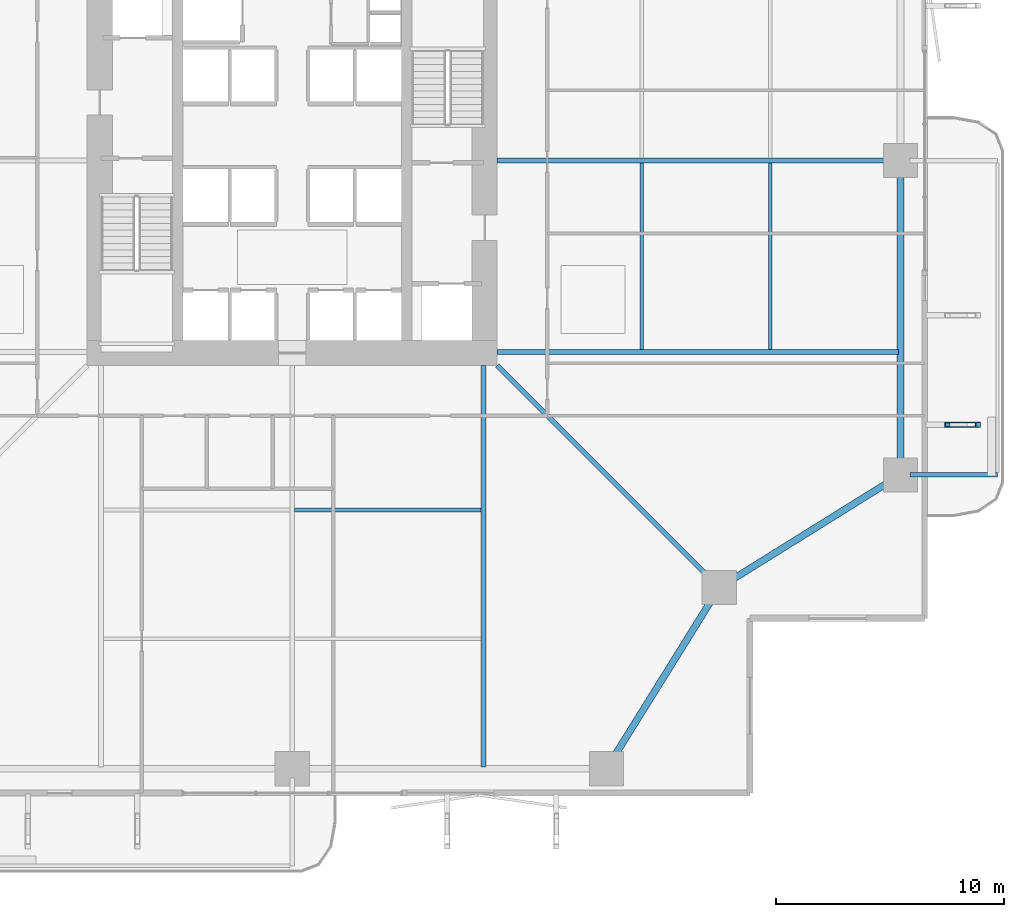
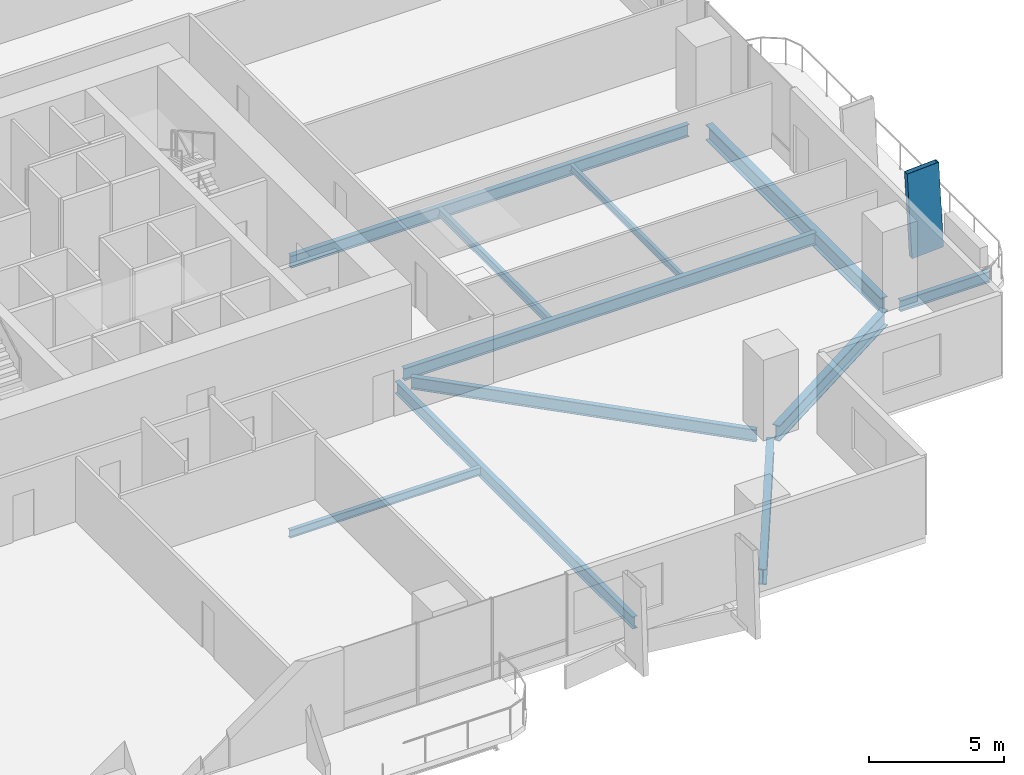
# One storey, part 7 of 23: 11 beams, 1 member.
"""IFC4 building model written with IfcOpenShell, lengths in metres."""

from ifc_helpers import new_model, si_unit, direction, frame, origin, origin_2d, place, context, subcontext, project, spatial, hollow_rectangle, i_section, extrude, material, material_profile, profile_set, type_object, element, save


model = new_model("IFC4")

# Units and contexts
model_context = context("Model", 3, precision=1e-05, world=origin(), true_north=direction((0.0, 1.0)))
body_context = subcontext(model_context, "Body", "Model", "MODEL_VIEW")
ifc_project = project(units=[si_unit("LENGTHUNIT", "METRE"), si_unit("AREAUNIT", "SQUARE_METRE"), si_unit("VOLUMEUNIT", "CUBIC_METRE"), si_unit("PLANEANGLEUNIT", "RADIAN"), si_unit("MASSUNIT", "GRAM", prefix="KILO")], contexts=[model_context])

# Site, building, storey
site_placement = place(None, origin())
site = spatial("IfcSite", under=ifc_project, at=site_placement, CompositionType="ELEMENT")
building_placement = place(site_placement, origin())
building = spatial("IfcBuilding", under=site, at=building_placement, Name="Belovzor Exchange Tower", CompositionType="ELEMENT")
storey_placement = place(building_placement, frame((0.0, 0.0, 65.10009765625)))
storey = spatial("IfcBuildingStorey", under=building, at=storey_placement, Name="L15", CompositionType="ELEMENT", Elevation=65.10009765625)

# Member
ifc_material_1 = material(Name="Extruded Architectural Terracotta on Steel S355 Carrier", Category="masonry")
ifc_material_profile_1 = material_profile(ifc_material_1, hollow_rectangle(XDim=0.219970703125, YDim=1.35009765625, WallThickness=0.013916015625, at=origin_2d()))
ifc_profile_set_1 = profile_set([ifc_material_profile_1], Name="Extruded Architectural Terracotta on Steel S355 Carrier")
member_type = type_object("IfcMemberType", Name="Base Arc Sweeping Terracotta Pylon Fin 1450", PredefinedType="USERDEFINED", material=ifc_profile_set_1)
member_placement = place(storey_placement, frame((58.339111328125, 17.199951171875, -0.25), z_axis=(-0.053011620344, 0.0, 0.998593895489), x_axis=(0.0, -1.0, 0.0)))
element("IfcMember", 1, at=member_placement, inside=storey, type_object=member_type, Name="FIN-TC145 Terracotta Facade Fin L15 E1", ObjectType="FIN", PredefinedType="USERDEFINED", context=body_context, shape_type="SweptSolid", body=[
    extrude(hollow_rectangle(XDim=0.219970703125, YDim=1.35009765625, WallThickness=0.013916015625, at=origin_2d()), origin(), (0.0, 0.0, 1.0), 3.9052734375),
])

# Beams
ifc_material_2 = material(Name="Steel S355", Category="steel")
ifc_material_profile_2 = material_profile(ifc_material_2, i_section(OverallWidth=0.199951171875, OverallDepth=0.5, WebThickness=0.01025390625, FlangeThickness=0.01611328125, at=origin_2d()))
ifc_profile_set_2 = profile_set([ifc_material_profile_2], Name="Steel S355")
beam_type_1 = type_object("IfcBeamType", Name="Planted Balcony Cantilever Beam IPE 500", PredefinedType="BEAM", material=ifc_profile_set_2)
beam_1_placement = place(storey_placement, frame((55.9130859375, 15.0, -0.5), z_axis=(1.0, 0.0, 0.0), x_axis=(0.0, 1.0, 0.0)))
element("IfcBeam", 2, at=beam_1_placement, inside=storey, type_object=beam_type_1, Name="BC-500 Planted Balcony Cantilever Beam IPE 500", PredefinedType="BEAM", context=body_context, shape_type="SweptSolid", body=[
    extrude(i_section(OverallWidth=0.199951171875, OverallDepth=0.5, WebThickness=0.01025390625, FlangeThickness=0.01611328125, at=origin_2d()), origin(), (0.0, 0.0, 1.0), 3.849853515625),
])
ifc_material_3 = material(Name="Steel S355", Category="steel")
ifc_material_profile_3 = material_profile(ifc_material_3, i_section(OverallWidth=0.169921875, OverallDepth=0.360107421875, WebThickness=0.008056640625, FlangeThickness=0.0126953125, at=origin_2d()))
ifc_profile_set_3 = profile_set([ifc_material_profile_3], Name="Steel S355")
beam_type_2 = type_object("IfcBeamType", Name="Secondary Infill Floor Joist IPE 360", PredefinedType="BEAM", material=ifc_profile_set_3)
beam_2_placement = place(storey_placement, frame((28.905029296875, 13.455078125, -0.43017578125), z_axis=(1.0, 0.0, 0.0), x_axis=(0.0, 1.0, 0.0)))
element("IfcBeam", 3, at=beam_2_placement, inside=storey, type_object=beam_type_2, Name="FJ-360 Secondary Infill Floor Joist IPE 360", PredefinedType="BEAM", context=body_context, shape_type="SweptSolid", body=[
    extrude(i_section(OverallWidth=0.169921875, OverallDepth=0.360107421875, WebThickness=0.008056640625, FlangeThickness=0.0126953125, at=origin_2d()), origin(), (0.0, 0.0, 1.0), 8.18994140625),
])
beam_3_placement = place(storey_placement, frame((44.14501953125, 20.5048828125, -0.43017578125), z_axis=(0.0, 1.0, 0.0), x_axis=(-1.0, 0.0, 0.0)))
element("IfcBeam", 4, at=beam_3_placement, inside=storey, type_object=beam_type_2, Name="FJ-360 Secondary Infill Floor Joist IPE 360", PredefinedType="BEAM", context=body_context, shape_type="SweptSolid", body=[
    extrude(i_section(OverallWidth=0.169921875, OverallDepth=0.360107421875, WebThickness=0.008056640625, FlangeThickness=0.0126953125, at=origin_2d()), origin(), (0.0, 0.0, 1.0), 8.190185546875),
])
ifc_material_4 = material(Name="Steel S355", Category="steel")
ifc_material_profile_4 = material_profile(ifc_material_4, i_section(OverallWidth=0.14990234375, OverallDepth=0.300048828125, WebThickness=0.007080078125, FlangeThickness=0.0107421875, at=origin_2d()))
ifc_profile_set_4 = profile_set([ifc_material_profile_4], Name="Steel S355")
beam_type_3 = type_object("IfcBeamType", Name="Secondary Trim Floor Joist IPE 300", PredefinedType="BEAM", material=ifc_profile_set_4)
beam_4_placement = place(storey_placement, frame((49.784912109375, 20.5048828125, -0.400146484375), z_axis=(0.0, 1.0, 0.0), x_axis=(-1.0, 0.0, 0.0)))
element("IfcBeam", 5, at=beam_4_placement, inside=storey, type_object=beam_type_3, Name="FJ-300 Secondary Trim Floor Joist IPE 300", PredefinedType="BEAM", context=body_context, shape_type="SweptSolid", body=[
    extrude(i_section(OverallWidth=0.14990234375, OverallDepth=0.300048828125, WebThickness=0.007080078125, FlangeThickness=0.0107421875, at=origin_2d()), origin(), (0.0, 0.0, 1.0), 8.190185546875),
])
ifc_material_5 = material(Name="Steel S355", Category="steel")
ifc_material_profile_5 = material_profile(ifc_material_5, i_section(OverallWidth=0.300048828125, OverallDepth=0.699951171875, WebThickness=0.01708984375, FlangeThickness=0.031982421875, at=origin_2d()))
ifc_profile_set_5 = profile_set([ifc_material_profile_5], Name="Steel S355")
beam_type_4 = type_object("IfcBeamType", Name="Zone 1 Primary Perimeter Girder HEB 700", PredefinedType="BEAM", material=ifc_profile_set_5)
for number, where, z_axis, x_axis, name in (
    (6, (42.818115234375, 2.449951171875, -0.60009765625), (0.528538629686, 0.848909251292, 0.0), (-0.848909251292, 0.528538629686, 0.0), "FG-Z1 Zone 1 Primary Perimeter Girder HEB 700"),
    (7, (47.89990234375, 10.26806640625, -0.60009765625), (0.848909251292, 0.528538629686, 0.0), (-0.528538629686, 0.848909251292, 0.0), "FG-Z1 Zone 1 Primary Perimeter Girder HEB 700"),
):
    element("IfcBeam", number, at=place(storey_placement, frame(where, z_axis=z_axis, x_axis=x_axis)), inside=storey, type_object=beam_type_4, Name=name, PredefinedType="BEAM", context=body_context, shape_type="SweptSolid", body=[
        extrude(i_section(OverallWidth=0.300048828125, OverallDepth=0.699951171875, WebThickness=0.01708984375, FlangeThickness=0.031982421875, at=origin_2d()), origin(), (0.0, 0.0, 1.0), 8.540283203125),
    ])
beam_5_placement = place(storey_placement, frame((55.5, 15.412109375, -0.60009765625), z_axis=(0.0, 1.0, 0.0), x_axis=(-1.0, 0.0, 0.0)))
element("IfcBeam", 8, at=beam_5_placement, inside=storey, type_object=beam_type_4, Name="FG-Z1 Zone 1 Primary Perimeter Girder HEB 700", PredefinedType="BEAM", context=body_context, shape_type="SweptSolid", body=[
    extrude(i_section(OverallWidth=0.300048828125, OverallDepth=0.699951171875, WebThickness=0.01708984375, FlangeThickness=0.031982421875, at=origin_2d()), origin(), (0.0, 0.0, 1.0), 12.974853515625),
])
ifc_material_6 = material(Name="Steel S355", Category="steel")
ifc_material_profile_6 = material_profile(ifc_material_6, i_section(OverallWidth=0.2099609375, OverallDepth=0.550048828125, WebThickness=0.010986328125, FlangeThickness=0.01708984375, at=origin_2d()))
ifc_profile_set_6 = profile_set([ifc_material_profile_6], Name="Steel S355")
beam_type_5 = type_object("IfcBeamType", Name="Zone 1 Radial Composite Floor Beam IPE 550", PredefinedType="BEAM", material=ifc_profile_set_6)
for number, where, z_axis, x_axis, name in (
    (9, (37.199951171875, 19.800048828125, -0.525146484375), (0.0, -1.0, 0.0), (1.0, 0.0, 0.0), "FB-550 Zone 1 Radial Composite Floor Beam IPE 550"),
    (10, (37.800048828125, 20.39990234375, -0.525146484375), (1.0, 0.0, 0.0), (0.0, 1.0, 0.0), "FB-550 Zone 1 Radial Composite Floor Beam IPE 550"),
):
    element("IfcBeam", number, at=place(storey_placement, frame(where, z_axis=z_axis, x_axis=x_axis)), inside=storey, type_object=beam_type_5, Name=name, PredefinedType="BEAM", context=body_context, shape_type="SweptSolid", body=[
        extrude(i_section(OverallWidth=0.2099609375, OverallDepth=0.550048828125, WebThickness=0.010986328125, FlangeThickness=0.01708984375, at=origin_2d()), origin(), (0.0, 0.0, 1.0), 17.625),
    ])
beam_6_placement = place(storey_placement, frame((37.800048828125, 28.800048828125, -0.525146484375), z_axis=(1.0, 0.0, 0.0), x_axis=(0.0, 1.0, 0.0)))
element("IfcBeam", 11, at=beam_6_placement, inside=storey, type_object=beam_type_5, Name="FB-550 Zone 1 Radial Composite Floor Beam IPE 550", PredefinedType="BEAM", context=body_context, shape_type="SweptSolid", body=[
    extrude(i_section(OverallWidth=0.2099609375, OverallDepth=0.550048828125, WebThickness=0.010986328125, FlangeThickness=0.01708984375, at=origin_2d()), origin(), (0.0, 0.0, 1.0), 17.0400390625),
])
beam_7_placement = place(storey_placement, frame((37.800048828125, 19.800048828125, -0.525146484375), z_axis=(0.707106781187, -0.707106781187, 0.0), x_axis=(0.707106781187, 0.707106781187, 0.0)))
element("IfcBeam", 12, at=beam_7_placement, inside=storey, type_object=beam_type_5, Name="FB-550 Zone 1 Radial Composite Floor Beam IPE 550", PredefinedType="BEAM", context=body_context, shape_type="SweptSolid", body=[
    extrude(i_section(OverallWidth=0.2099609375, OverallDepth=0.550048828125, WebThickness=0.010986328125, FlangeThickness=0.01708984375, at=origin_2d()), origin(), (0.0, 0.0, 1.0), 13.25830078125),
])

save(model, "model.ifc")
